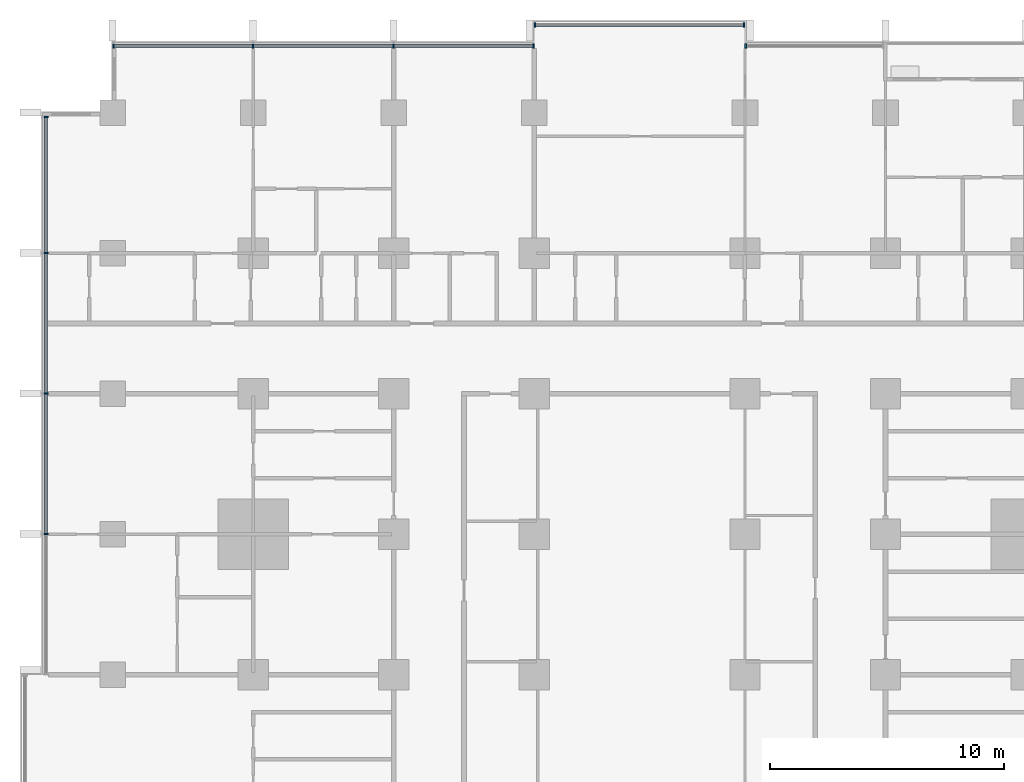
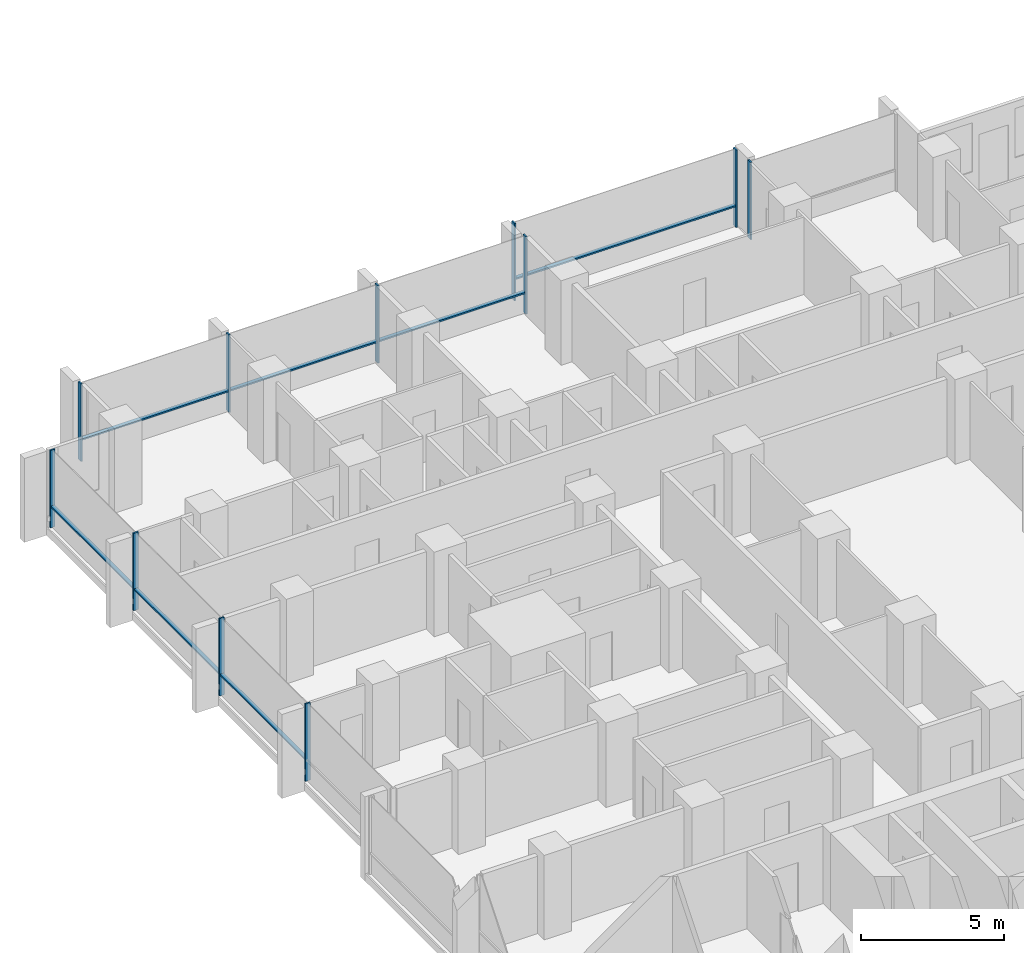
# One storey, part 4 of 18: 18 members, 4 elements without a shape of their own.
"""IFC4 building model written with IfcOpenShell, lengths in metres."""

from ifc_helpers import new_model, si_unit, direction, frame, origin, origin_2d, place, context, subcontext, project, spatial, rectangle, extrude, material, material_profile, profile_set, type_object, element, aggregate, save


model = new_model("IFC4")

# Units and contexts
model_context = context("Model", 3, precision=1e-05, world=origin(), true_north=direction((0.0, 1.0)))
body_context = subcontext(model_context, "Body", "Model", "MODEL_VIEW")
ifc_project = project(units=[si_unit("LENGTHUNIT", "METRE"), si_unit("AREAUNIT", "SQUARE_METRE"), si_unit("VOLUMEUNIT", "CUBIC_METRE"), si_unit("PLANEANGLEUNIT", "RADIAN"), si_unit("MASSUNIT", "GRAM", prefix="KILO")], contexts=[model_context])

# Site, building, storey
site_placement = place(None, origin())
site = spatial("IfcSite", under=ifc_project, at=site_placement, CompositionType="ELEMENT")
building_placement = place(site_placement, origin())
building = spatial("IfcBuilding", under=site, at=building_placement, Name="Finial Court Residences", CompositionType="ELEMENT")
storey_placement = place(building_placement, frame((0.0, 0.0, 46.89990234375)))
storey = spatial("IfcBuildingStorey", under=building, at=storey_placement, Name="L10", CompositionType="ELEMENT", Elevation=46.89990234375)

# Curtain wall, members
ifc_material = material(Name="Bronze anodised aluminium", Category="aluminium")
curtain_wall_type = type_object("IfcCurtainWallType", Name="Unitised curtain wall, lower and middle zones", PredefinedType="NOTDEFINED", material=ifc_material)
curtain_wall_1_placement = place(storey_placement, origin())
curtain_wall_1 = element("IfcCurtainWall", 1, at=curtain_wall_1_placement, inside=storey, type_object=curtain_wall_type, Name="E-L10-CW-N1", PredefinedType="NOTDEFINED")
ifc_material_profile_1 = material_profile(ifc_material, rectangle(XDim=0.199951171875, YDim=0.06494140625, at=origin_2d()), Name="CW1 mullion 65 x 200")
ifc_profile_set_1 = profile_set([ifc_material_profile_1], Name="Bronze anodised aluminium")
member_type_1 = type_object("IfcMemberType", Name="CW1 mullion 65 x 200", PredefinedType="MULLION", material=ifc_profile_set_1)
member_1_placement = place(storey_placement, frame((-22.467529296875, 28.35009765625, 0.0), z_axis=(0.0, 0.0, 1.0), x_axis=(0.0, 1.0, 0.0)))
member_1 = element("IfcMember", 2, at=member_1_placement, type_object=member_type_1, Name="CW1 mullion 1", PredefinedType="MULLION", context=body_context, shape_type="SweptSolid", body=[
    extrude(rectangle(XDim=0.199951171875, YDim=0.06494140625, at=origin_2d()), origin(), (0.0, 0.0, 1.0), 3.300048828125),
])
member_2_placement = place(storey_placement, frame((-16.5, 28.35009765625, 0.0), z_axis=(0.0, 0.0, 1.0), x_axis=(0.0, 1.0, 0.0)))
member_2 = element("IfcMember", 3, at=member_2_placement, type_object=member_type_1, Name="CW1 mullion 2", PredefinedType="MULLION", context=body_context, shape_type="SweptSolid", body=[
    extrude(rectangle(XDim=0.199951171875, YDim=0.06494140625, at=origin_2d()), origin(), (0.0, 0.0, 1.0), 3.300048828125),
])
member_3_placement = place(storey_placement, frame((-10.5, 28.35009765625, 0.0), z_axis=(0.0, 0.0, 1.0), x_axis=(0.0, 1.0, 0.0)))
member_3 = element("IfcMember", 4, at=member_3_placement, type_object=member_type_1, Name="CW1 mullion 3", PredefinedType="MULLION", context=body_context, shape_type="SweptSolid", body=[
    extrude(rectangle(XDim=0.199951171875, YDim=0.06494140625, at=origin_2d()), origin(), (0.0, 0.0, 1.0), 3.300048828125),
])
member_4_placement = place(storey_placement, frame((-4.532470703125, 28.35009765625, 0.0), z_axis=(0.0, 0.0, 1.0), x_axis=(0.0, 1.0, 0.0)))
member_4 = element("IfcMember", 5, at=member_4_placement, type_object=member_type_1, Name="CW1 mullion 4", PredefinedType="MULLION", context=body_context, shape_type="SweptSolid", body=[
    extrude(rectangle(XDim=0.199951171875, YDim=0.06494140625, at=origin_2d()), origin(), (0.0, 0.0, 1.0), 3.300048828125),
])

curtain_wall_2_placement = place(storey_placement, origin())
curtain_wall_2 = element("IfcCurtainWall", 6, at=curtain_wall_2_placement, inside=storey, type_object=curtain_wall_type, Name="E-L10-CW-N2", PredefinedType="NOTDEFINED")
member_5_placement = place(storey_placement, frame((-4.467529296875, 29.25, 0.0), z_axis=(0.0, 0.0, 1.0), x_axis=(0.0, 1.0, 0.0)))
member_5 = element("IfcMember", 7, at=member_5_placement, type_object=member_type_1, Name="CW1 mullion 1", PredefinedType="MULLION", context=body_context, shape_type="SweptSolid", body=[
    extrude(rectangle(XDim=0.199951171875, YDim=0.06494140625, at=origin_2d()), origin(), (0.0, 0.0, 1.0), 3.300048828125),
])
member_6_placement = place(storey_placement, frame((4.467529296875, 29.25, 0.0), z_axis=(0.0, 0.0, 1.0), x_axis=(0.0, 1.0, 0.0)))
member_6 = element("IfcMember", 8, at=member_6_placement, type_object=member_type_1, Name="CW1 mullion 2", PredefinedType="MULLION", context=body_context, shape_type="SweptSolid", body=[
    extrude(rectangle(XDim=0.199951171875, YDim=0.06494140625, at=origin_2d()), origin(), (0.0, 0.0, 1.0), 3.300048828125),
])

# Curtain wall, member
curtain_wall_3_placement = place(storey_placement, origin())
curtain_wall_3 = element("IfcCurtainWall", 9, at=curtain_wall_3_placement, inside=storey, type_object=curtain_wall_type, Name="E-L10-CW-N3", PredefinedType="NOTDEFINED")
member_7_placement = place(storey_placement, frame((4.532470703125, 28.35009765625, 0.0), z_axis=(0.0, 0.0, 1.0), x_axis=(0.0, 1.0, 0.0)))
member_7 = element("IfcMember", 10, at=member_7_placement, type_object=member_type_1, Name="CW1 mullion 1", PredefinedType="MULLION", context=body_context, shape_type="SweptSolid", body=[
    extrude(rectangle(XDim=0.199951171875, YDim=0.06494140625, at=origin_2d()), origin(), (0.0, 0.0, 1.0), 3.300048828125),
])
aggregate(curtain_wall_3, [member_7])

# Curtain wall, members
curtain_wall_4_placement = place(storey_placement, origin())
curtain_wall_4 = element("IfcCurtainWall", 11, at=curtain_wall_4_placement, inside=storey, type_object=curtain_wall_type, Name="E-L10-CW-W12", PredefinedType="NOTDEFINED")
member_8_placement = place(storey_placement, frame((-25.35009765625, 7.5, 0.0), z_axis=(0.0, 0.0, 1.0), x_axis=(-1.0, 0.0, 0.0)))
member_8 = element("IfcMember", 12, at=member_8_placement, type_object=member_type_1, Name="CW1 mullion 2", PredefinedType="MULLION", context=body_context, shape_type="SweptSolid", body=[
    extrude(rectangle(XDim=0.199951171875, YDim=0.06494140625, at=origin_2d()), origin(), (0.0, 0.0, 1.0), 3.300048828125),
])
member_9_placement = place(storey_placement, frame((-25.35009765625, 13.5, 0.0), z_axis=(0.0, 0.0, 1.0), x_axis=(-1.0, 0.0, 0.0)))
member_9 = element("IfcMember", 13, at=member_9_placement, type_object=member_type_1, Name="CW1 mullion 3", PredefinedType="MULLION", context=body_context, shape_type="SweptSolid", body=[
    extrude(rectangle(XDim=0.199951171875, YDim=0.06494140625, at=origin_2d()), origin(), (0.0, 0.0, 1.0), 3.300048828125),
])
member_10_placement = place(storey_placement, frame((-25.35009765625, 19.5, 0.0), z_axis=(0.0, 0.0, 1.0), x_axis=(-1.0, 0.0, 0.0)))
member_10 = element("IfcMember", 14, at=member_10_placement, type_object=member_type_1, Name="CW1 mullion 4", PredefinedType="MULLION", context=body_context, shape_type="SweptSolid", body=[
    extrude(rectangle(XDim=0.199951171875, YDim=0.06494140625, at=origin_2d()), origin(), (0.0, 0.0, 1.0), 3.300048828125),
])
member_11_placement = place(storey_placement, frame((-25.35009765625, 25.3173828125, 0.0), z_axis=(0.0, 0.0, 1.0), x_axis=(-1.0, 0.0, 0.0)))
member_11 = element("IfcMember", 15, at=member_11_placement, type_object=member_type_1, Name="CW1 mullion 5", PredefinedType="MULLION", context=body_context, shape_type="SweptSolid", body=[
    extrude(rectangle(XDim=0.199951171875, YDim=0.06494140625, at=origin_2d()), origin(), (0.0, 0.0, 1.0), 3.300048828125),
])

# Member
ifc_material_profile_2 = material_profile(ifc_material, rectangle(XDim=0.14990234375, YDim=0.06494140625, at=origin_2d()), Name="CW1 transom 65 x 150")
ifc_profile_set_2 = profile_set([ifc_material_profile_2], Name="Bronze anodised aluminium")
member_type_2 = type_object("IfcMemberType", Name="CW1 transom 65 x 150", PredefinedType="USERDEFINED", material=ifc_profile_set_2)
member_12_placement = place(storey_placement, frame((-22.43505859375, 28.35009765625, 0.900146484375), z_axis=(1.0, 0.0, 0.0), x_axis=(0.0, 1.0, 0.0)))
member_12 = element("IfcMember", 16, at=member_12_placement, type_object=member_type_2, Name="CW1 transom 1.1", ObjectType="TRANSOM", PredefinedType="USERDEFINED", context=body_context, shape_type="SweptSolid", body=[
    extrude(rectangle(XDim=0.14990234375, YDim=0.06494140625, at=origin_2d()), origin(), (0.0, 0.0, 1.0), 5.902587890625),
])

member_13_placement = place(storey_placement, frame((-16.467529296875, 28.35009765625, 0.900146484375), z_axis=(1.0, 0.0, 0.0), x_axis=(0.0, 1.0, 0.0)))
member_13 = element("IfcMember", 17, at=member_13_placement, type_object=member_type_2, Name="CW1 transom 2.1", ObjectType="TRANSOM", PredefinedType="USERDEFINED", context=body_context, shape_type="SweptSolid", body=[
    extrude(rectangle(XDim=0.14990234375, YDim=0.06494140625, at=origin_2d()), origin(), (0.0, 0.0, 1.0), 5.93505859375),
])

member_14_placement = place(storey_placement, frame((-10.467529296875, 28.35009765625, 0.900146484375), z_axis=(1.0, 0.0, 0.0), x_axis=(0.0, 1.0, 0.0)))
member_14 = element("IfcMember", 18, at=member_14_placement, type_object=member_type_2, Name="CW1 transom 3.1", ObjectType="TRANSOM", PredefinedType="USERDEFINED", context=body_context, shape_type="SweptSolid", body=[
    extrude(rectangle(XDim=0.14990234375, YDim=0.06494140625, at=origin_2d()), origin(), (0.0, 0.0, 1.0), 5.902587890625),
])

aggregate(curtain_wall_1, [member_1, member_2, member_3, member_4, member_12, member_13, member_14])

member_15_placement = place(storey_placement, frame((-4.43505859375, 29.25, 0.900146484375), z_axis=(1.0, 0.0, 0.0), x_axis=(0.0, 1.0, 0.0)))
member_15 = element("IfcMember", 19, at=member_15_placement, type_object=member_type_2, Name="CW1 transom 1.1", ObjectType="TRANSOM", PredefinedType="USERDEFINED", context=body_context, shape_type="SweptSolid", body=[
    extrude(rectangle(XDim=0.14990234375, YDim=0.06494140625, at=origin_2d()), origin(), (0.0, 0.0, 1.0), 8.8701171875),
])

aggregate(curtain_wall_2, [member_5, member_6, member_15])

member_16_placement = place(storey_placement, frame((-25.35009765625, 7.532470703125, 0.900146484375), z_axis=(0.0, 1.0, 0.0), x_axis=(-1.0, 0.0, 0.0)))
member_16 = element("IfcMember", 20, at=member_16_placement, type_object=member_type_2, Name="CW1 transom 2.1", ObjectType="TRANSOM", PredefinedType="USERDEFINED", context=body_context, shape_type="SweptSolid", body=[
    extrude(rectangle(XDim=0.14990234375, YDim=0.06494140625, at=origin_2d()), origin(), (0.0, 0.0, 1.0), 5.93505859375),
])

member_17_placement = place(storey_placement, frame((-25.35009765625, 13.532470703125, 0.900146484375), z_axis=(0.0, 1.0, 0.0), x_axis=(-1.0, 0.0, 0.0)))
member_17 = element("IfcMember", 21, at=member_17_placement, type_object=member_type_2, Name="CW1 transom 3.1", ObjectType="TRANSOM", PredefinedType="USERDEFINED", context=body_context, shape_type="SweptSolid", body=[
    extrude(rectangle(XDim=0.14990234375, YDim=0.06494140625, at=origin_2d()), origin(), (0.0, 0.0, 1.0), 5.93505859375),
])

member_18_placement = place(storey_placement, frame((-25.35009765625, 19.532470703125, 0.900146484375), z_axis=(0.0, 1.0, 0.0), x_axis=(-1.0, 0.0, 0.0)))
member_18 = element("IfcMember", 22, at=member_18_placement, type_object=member_type_2, Name="CW1 transom 4.1", ObjectType="TRANSOM", PredefinedType="USERDEFINED", context=body_context, shape_type="SweptSolid", body=[
    extrude(rectangle(XDim=0.14990234375, YDim=0.06494140625, at=origin_2d()), origin(), (0.0, 0.0, 1.0), 5.75244140625),
])

aggregate(curtain_wall_4, [member_8, member_9, member_10, member_11, member_16, member_17, member_18])

save(model, "model.ifc")
